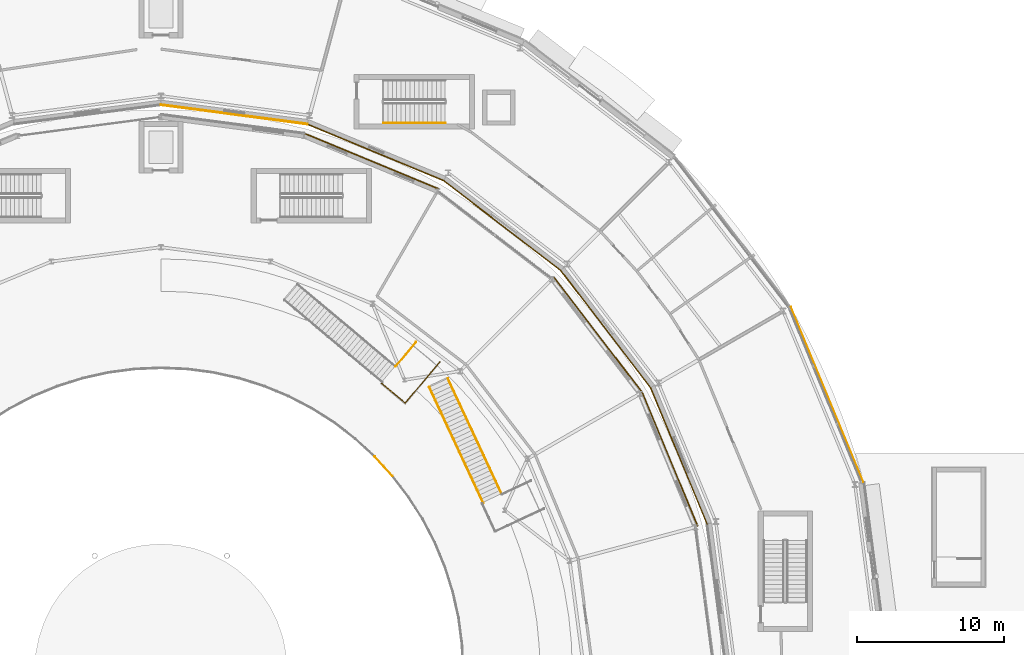
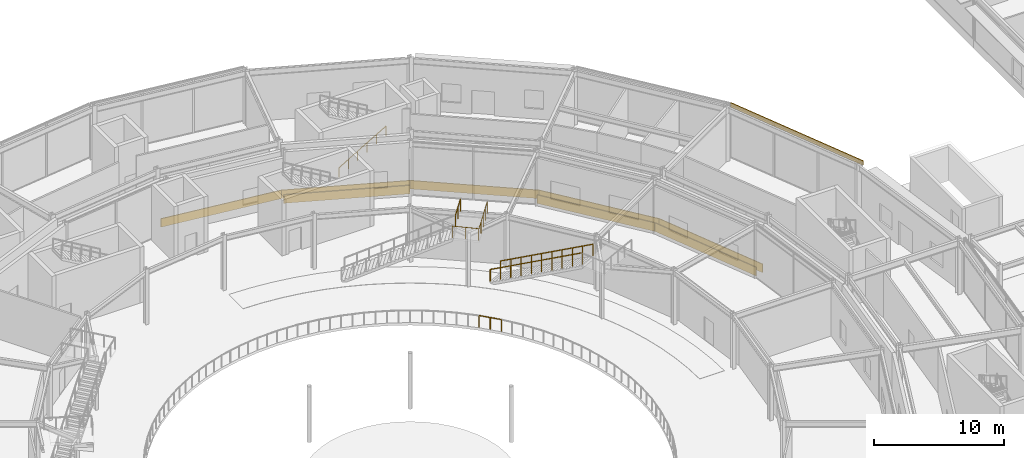
# One storey, part 160 of 168: 9 coverings, 6 railings.
"""IFC4 building model written with IfcOpenShell, lengths in metres."""

from ifc_helpers import new_model, si_unit, direction, frame, origin, origin_2d, place, context, subcontext, project, spatial, rectangle, circle, extrude, material, layer, layer_set, type_object, element, save


model = new_model("IFC4")

# Units and contexts
model_context = context("Model", 3, precision=1e-05, world=origin(), true_north=direction((0.0, 1.0)))
body_context = subcontext(model_context, "Body", "Model", "MODEL_VIEW")
ifc_project = project(units=[si_unit("LENGTHUNIT", "METRE"), si_unit("AREAUNIT", "SQUARE_METRE"), si_unit("VOLUMEUNIT", "CUBIC_METRE"), si_unit("PLANEANGLEUNIT", "RADIAN"), si_unit("MASSUNIT", "GRAM", prefix="KILO")], contexts=[model_context])

# Site, building, storey
site_placement = place(None, origin())
site = spatial("IfcSite", under=ifc_project, at=site_placement, CompositionType="ELEMENT")
building_placement = place(site_placement, origin())
building = spatial("IfcBuilding", under=site, at=building_placement, Name="Almandine Court Research Institute", CompositionType="ELEMENT")
storey_placement = place(building_placement, origin())
storey = spatial("IfcBuildingStorey", under=building, at=storey_placement, Name="L00", CompositionType="ELEMENT", Elevation=0.0)

# Coverings
ifc_material_1 = material(Name="Honed Andean Red-Buff Sandstone Cladding", Category="masonry")
ifc_layer_1 = layer(ifc_material_1, 0.06494140625)
ifc_layer_set_1 = layer_set([ifc_layer_1], Name="Honed Andean Red-Buff Sandstone Cladding")
covering_type_1 = type_object("IfcCoveringType", Name="Cov-CLAD-SAND", PredefinedType="CLADDING", material=ifc_layer_set_1)
for number, where, z_axis, x_axis, name in (
    (1, (122.25, 70.60107421875, 0.02001953125), (0.0, 0.0, 1.0), (-0.382683432365, 0.923879532511, 0.0), "L00 Facade Spandrel Cladding Band 263"),
    (2, (117.27001953125, 79.22705078125, 0.02001953125), (0.0, 0.0, 1.0), (-0.608761429009, 0.793353340291, 0.0), "L00 Facade Spandrel Cladding Band 265"),
    (3, (110.22705078125, 86.27001953125, 0.02001953125), (0.0, 0.0, 1.0), (-0.793353340291, 0.608761429009, 0.0), "L00 Facade Spandrel Cladding Band 267"),
    (4, (101.60107421875, 91.25, 0.02001953125), (0.0, 0.0, 1.0), (-0.923879532511, 0.382683432365, 0.0), "L00 Facade Spandrel Cladding Band 269"),
    (5, (91.97998046875, 93.827880859375, 0.02001953125), (0.0, 0.0, 1.0), (-0.991444861374, 0.13052619222, 0.0), "L00 Facade Spandrel Cladding Band 271"),
):
    element("IfcCovering", number, at=place(storey_placement, frame(where, z_axis=z_axis, x_axis=x_axis)), inside=storey, type_object=covering_type_1, Name=name, PredefinedType="CLADDING", context=body_context, shape_type="SweptSolid", body=[
        extrude(rectangle(XDim=10.080078125, YDim=0.06494140625, at=origin_2d()), origin(), (0.0, 0.0, 1.0), 0.800048828125),
    ])
covering_1_placement = place(storey_placement, frame((121.64892578125, 70.35205078125, 0.02001953125), z_axis=(0.0, 0.0, 1.0), x_axis=(0.382683432365, -0.923879532511, 0.0)))
element("IfcCovering", 6, at=covering_1_placement, inside=storey, type_object=covering_type_1, Name="L00 Facade Spandrel Cladding Band 426", PredefinedType="CLADDING", context=body_context, shape_type="SweptSolid", body=[
    extrude(rectangle(XDim=9.821044921875, YDim=0.06494140625, at=origin_2d()), origin(), (0.0, 0.0, 1.0), 0.800048828125),
])
covering_2_placement = place(storey_placement, frame((116.7529296875, 78.830078125, 0.02001953125), z_axis=(0.0, 0.0, 1.0), x_axis=(0.608761429009, -0.793353340291, 0.0)))
element("IfcCovering", 7, at=covering_2_placement, inside=storey, type_object=covering_type_1, Name="L00 Facade Spandrel Cladding Band 427", PredefinedType="CLADDING", context=body_context, shape_type="SweptSolid", body=[
    extrude(rectangle(XDim=9.820068359375, YDim=0.06494140625, at=origin_2d()), origin(), (0.0, 0.0, 1.0), 0.800048828125),
])
covering_3_placement = place(storey_placement, frame((101.35205078125, 90.64892578125, 0.02001953125), z_axis=(0.0, 0.0, 1.0), x_axis=(0.923879532511, -0.382683432365, 0.0)))
element("IfcCovering", 8, at=covering_3_placement, inside=storey, type_object=covering_type_1, Name="L00 Facade Spandrel Cladding Band 428", PredefinedType="CLADDING", context=body_context, shape_type="SweptSolid", body=[
    extrude(rectangle(XDim=9.821044921875, YDim=0.06494140625, at=origin_2d()), origin(), (0.0, 0.0, 1.0), 0.800048828125),
])
ifc_material_2 = material(Name="Extruded Cream-Ochre Seismic Terracotta Spandrel", Category="masonry")
ifc_layer_2 = layer(ifc_material_2, 0.054931640625)
ifc_layer_set_2 = layer_set([ifc_layer_2], Name="Extruded Cream-Ochre Seismic Terracotta Spandrel")
covering_type_2 = type_object("IfcCoveringType", Name="Cov-CLAD-TERR", PredefinedType="CLADDING", material=ifc_layer_set_2)
covering_4_placement = place(storey_placement, frame((132.323974609375, 74.77392578125, 4.679931640625), z_axis=(0.0, 0.0, 1.0), x_axis=(0.382683432365, -0.923879532511, 0.0)))
element("IfcCovering", 9, at=covering_4_placement, inside=storey, type_object=covering_type_2, Name="L00 Drum Stacked Terracotta Ring Band 01", PredefinedType="CLADDING", context=body_context, shape_type="SweptSolid", body=[
    extrude(rectangle(XDim=12.8779296875, YDim=0.054931640625, at=origin_2d()), origin(), (0.0, 0.0, 1.0), 0.419921875),
])

# Railings
ifc_material_3 = material(Name="Powder-Coated Steel Stair and Atrium Balustrade", Category="steel")
railing_type_1 = type_object("IfcRailingType", Name="Rail-GUARD-INT", PredefinedType="BALUSTRADE", material=ifc_material_3)
railing_1_placement = place(storey_placement, frame((105.26611328125, 75.27490234375, 0.175048828125)))
element("IfcRailing", 10, at=railing_1_placement, inside=storey, type_object=railing_type_1, Name="L00 ST-AT-01 Flight Guard IN", PredefinedType="BALUSTRADE", context=body_context, shape_type="SweptSolid", body=[
    extrude(circle(Radius=0.02392578125, at=origin_2d()), frame((0.0, 0.0, 1.09619140625), z_axis=(0.364960029353, -0.782884834485, 0.503880454978), x_axis=(0.906354414479, 0.422518254463, 0.0)), (0.0, 0.0, 1.0), 10.07177734375),
    extrude(circle(Radius=0.02099609375, at=origin_2d()), origin(), (0.0, 0.0, 1.0), 1.072021484375),
    extrude(circle(Radius=0.02099609375, at=origin_2d()), frame((0.408447265625, -0.876220703125, 0.56396484375)), (0.0, 0.0, 1.0), 1.072021484375),
    extrude(circle(Radius=0.02099609375, at=origin_2d()), frame((0.81689453125, -1.752197265625, 1.127685546875)), (0.0, 0.0, 1.0), 1.072021484375),
    extrude(circle(Radius=0.02099609375, at=origin_2d()), frame((1.225341796875, -2.62841796875, 1.691650390625)), (0.0, 0.0, 1.0), 1.072021484375),
    extrude(circle(Radius=0.02099609375, at=origin_2d()), frame((1.6337890625, -3.50439453125, 2.255615234375)), (0.0, 0.0, 1.0), 1.072021484375),
    extrude(circle(Radius=0.02099609375, at=origin_2d()), frame((2.0419921875, -4.380615234375, 2.8193359375)), (0.0, 0.0, 1.0), 1.072021484375),
    extrude(circle(Radius=0.02099609375, at=origin_2d()), frame((2.450439453125, -5.256591796875, 3.38330078125)), (0.0, 0.0, 1.0), 1.072021484375),
    extrude(circle(Radius=0.02099609375, at=origin_2d()), frame((2.85888671875, -6.1328125, 3.947265625)), (0.0, 0.0, 1.0), 1.072021484375),
    extrude(circle(Radius=0.02099609375, at=origin_2d()), frame((3.267333984375, -7.0087890625, 4.510986328125)), (0.0, 0.0, 1.0), 1.072021484375),
    extrude(circle(Radius=0.02099609375, at=origin_2d()), frame((3.67578125, -7.885009765625, 5.074951171875)), (0.0, 0.0, 1.0), 1.072021484375),
])
railing_2_placement = place(storey_placement, frame((106.533935546875, 75.866943359375, 0.175048828125)))
element("IfcRailing", 11, at=railing_2_placement, inside=storey, type_object=railing_type_1, Name="L00 ST-AT-01 Flight Guard OUT", PredefinedType="BALUSTRADE", context=body_context, shape_type="SweptSolid", body=[
    extrude(circle(Radius=0.02392578125, at=origin_2d()), frame((0.0, 0.0, 1.09619140625), z_axis=(0.365065079793, -0.78285020132, 0.503858164376), x_axis=(0.906300676307, 0.422633510415, 0.0)), (0.0, 0.0, 1.0), 10.072265625),
    extrude(circle(Radius=0.02099609375, at=origin_2d()), origin(), (0.0, 0.0, 1.0), 1.072021484375),
    extrude(circle(Radius=0.02099609375, at=origin_2d()), frame((0.408447265625, -0.876220703125, 0.56396484375)), (0.0, 0.0, 1.0), 1.072021484375),
    extrude(circle(Radius=0.02099609375, at=origin_2d()), frame((0.817138671875, -1.752197265625, 1.127685546875)), (0.0, 0.0, 1.0), 1.072021484375),
    extrude(circle(Radius=0.02099609375, at=origin_2d()), frame((1.2255859375, -2.62841796875, 1.691650390625)), (0.0, 0.0, 1.0), 1.072021484375),
    extrude(circle(Radius=0.02099609375, at=origin_2d()), frame((1.63427734375, -3.50439453125, 2.255615234375)), (0.0, 0.0, 1.0), 1.072021484375),
    extrude(circle(Radius=0.02099609375, at=origin_2d()), frame((2.042724609375, -4.380615234375, 2.8193359375)), (0.0, 0.0, 1.0), 1.072021484375),
    extrude(circle(Radius=0.02099609375, at=origin_2d()), frame((2.451416015625, -5.256591796875, 3.38330078125)), (0.0, 0.0, 1.0), 1.072021484375),
    extrude(circle(Radius=0.02099609375, at=origin_2d()), frame((2.85986328125, -6.1328125, 3.947265625)), (0.0, 0.0, 1.0), 1.072021484375),
    extrude(circle(Radius=0.02099609375, at=origin_2d()), frame((3.2685546875, -7.0087890625, 4.510986328125)), (0.0, 0.0, 1.0), 1.072021484375),
    extrude(circle(Radius=0.02099609375, at=origin_2d()), frame((3.677001953125, -7.885009765625, 5.074951171875)), (0.0, 0.0, 1.0), 1.072021484375),
])
railing_3_placement = place(storey_placement, frame((102.971923828125, 76.6689453125, 5.25)))
element("IfcRailing", 12, at=railing_3_placement, inside=storey, type_object=railing_type_1, Name="L00 ST-AT-02 Landing Near Return Guard", PredefinedType="BALUSTRADE", context=body_context, shape_type="SweptSolid", body=[
    extrude(circle(Radius=0.02392578125, at=origin_2d()), frame((0.0, 0.0, 1.09619140625), z_axis=(0.642966254982, 0.765894506413, 0.0), x_axis=(-0.765894506413, 0.642966254982, 0.0)), (0.0, 0.0, 1.0), 2.1806640625),
    extrude(circle(Radius=0.02099609375, at=origin_2d()), origin(), (0.0, 0.0, 1.0), 1.072021484375),
    extrude(circle(Radius=0.02099609375, at=origin_2d()), frame((0.701171875, 0.8349609375, 0.0)), (0.0, 0.0, 1.0), 1.072021484375),
    extrude(circle(Radius=0.02099609375, at=origin_2d()), frame((1.402099609375, 1.670166015625, 0.0)), (0.0, 0.0, 1.0), 1.072021484375),
])
railing_4_placement = place(storey_placement, frame((102.02099609375, 75.534912109375, 5.25)))
element("IfcRailing", 13, at=railing_4_placement, inside=storey, type_object=railing_type_1, Name="L00 ST-AT-02 Landing Outer Wrap Guard", PredefinedType="BALUSTRADE", context=body_context, shape_type="SweptSolid", body=[
    extrude(circle(Radius=0.02392578125, at=origin_2d()), frame((0.0, 0.0, 1.09619140625), z_axis=(0.766082597261, -0.64274213661, 0.0), x_axis=(0.64274213661, 0.766082597261, 0.0)), (0.0, 0.0, 1.0), 2.10009765625),
    extrude(circle(Radius=0.02392578125, at=origin_2d()), frame((1.60888671875, -1.349853515625, 1.09619140625), z_axis=(0.642667843751, 0.766144922719, 0.0), x_axis=(-0.766144922719, 0.642667843751, 0.0)), (0.0, 0.0, 1.0), 3.659912109375),
    extrude(circle(Radius=0.02099609375, at=origin_2d()), origin(), (0.0, 0.0, 1.0), 1.072021484375),
    extrude(circle(Radius=0.02099609375, at=origin_2d()), frame((0.804443359375, -0.6748046875, 0.0)), (0.0, 0.0, 1.0), 1.072021484375),
    extrude(circle(Radius=0.02099609375, at=origin_2d()), frame((1.60888671875, -1.349853515625, 0.0)), (0.0, 0.0, 1.0), 1.072021484375),
    extrude(circle(Radius=0.02099609375, at=origin_2d()), frame((2.19677734375, -0.64892578125, 0.0)), (0.0, 0.0, 1.0), 1.072021484375),
    extrude(circle(Radius=0.02099609375, at=origin_2d()), frame((2.784912109375, 0.05224609375, 0.0)), (0.0, 0.0, 1.0), 1.072021484375),
    extrude(circle(Radius=0.02099609375, at=origin_2d()), frame((3.373046875, 0.753173828125, 0.0)), (0.0, 0.0, 1.0), 1.072021484375),
    extrude(circle(Radius=0.02099609375, at=origin_2d()), frame((3.9609375, 1.4541015625, 0.0)), (0.0, 0.0, 1.0), 1.072021484375),
])
railing_5_placement = place(storey_placement, frame((102.764892578125, 69.22900390625, 0.0)))
element("IfcRailing", 14, at=railing_5_placement, inside=storey, type_object=railing_type_1, Name="L00 Central Hauz Rainwater Court Balustrade 09", PredefinedType="BALUSTRADE", context=body_context, shape_type="SweptSolid", body=[
    extrude(circle(Radius=0.02392578125, at=origin_2d()), frame((0.0, 0.0, 1.09619140625), z_axis=(-0.675767744436, 0.737114614955, 0.0), x_axis=(-0.737114614955, -0.675767744436, 0.0)), (0.0, 0.0, 1.0), 1.794921875),
    extrude(circle(Radius=0.02099609375, at=origin_2d()), origin(), (0.0, 0.0, 1.0), 1.072021484375),
    extrude(circle(Radius=0.02099609375, at=origin_2d()), frame((-0.6064453125, 0.66162109375, 0.0)), (0.0, 0.0, 1.0), 1.072021484375),
    extrude(circle(Radius=0.02099609375, at=origin_2d()), frame((-1.212890625, 1.322998046875, 0.0)), (0.0, 0.0, 1.0), 1.072021484375),
])
ifc_material_4 = material(Name="Brushed Stainless Steel Wall Handrail", Category="steel")
railing_type_2 = type_object("IfcRailingType", Name="Rail-HAND-INT", PredefinedType="HANDRAIL", material=ifc_material_4)
railing_6_placement = place(storey_placement, frame((102.14990234375, 93.25, 0.175048828125)))
element("IfcRailing", 15, at=railing_6_placement, inside=storey, type_object=railing_type_2, Name="L00 ST-09 stair handrail 1", PredefinedType="HANDRAIL", context=body_context, shape_type="SweptSolid", body=[
    extrude(circle(Radius=0.02392578125, at=origin_2d()), frame((0.0, 0.0, 0.8759765625), z_axis=(0.863793468915, 0.0, 0.503846050951), x_axis=(0.0, 1.0, 0.0)), (0.0, 0.0, 1.0), 4.862548828125),
    extrude(circle(Radius=0.02099609375, at=origin_2d()), origin(), (0.0, 0.0, 1.0), 0.851806640625),
    extrude(circle(Radius=0.02099609375, at=origin_2d()), frame((0.840087890625, 0.0, 0.489990234375)), (0.0, 0.0, 1.0), 0.851806640625),
    extrude(circle(Radius=0.02099609375, at=origin_2d()), frame((1.68017578125, 0.0, 0.97998046875)), (0.0, 0.0, 1.0), 0.851806640625),
    extrude(circle(Radius=0.02099609375, at=origin_2d()), frame((2.52001953125, 0.0, 1.469970703125)), (0.0, 0.0, 1.0), 0.851806640625),
    extrude(circle(Radius=0.02099609375, at=origin_2d()), frame((3.360107421875, 0.0, 1.9599609375)), (0.0, 0.0, 1.0), 0.851806640625),
    extrude(circle(Radius=0.02099609375, at=origin_2d()), frame((4.2001953125, 0.0, 2.449951171875)), (0.0, 0.0, 1.0), 0.851806640625),
])

save(model, "model.ifc")
